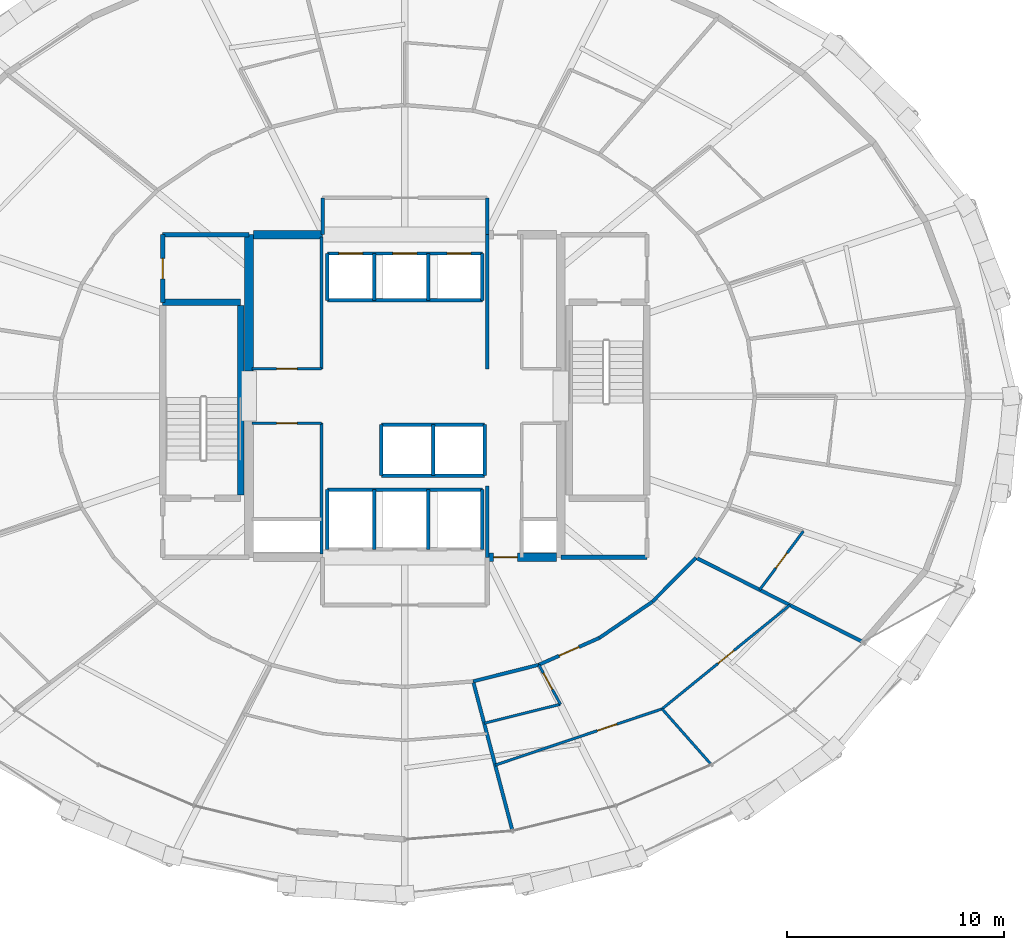
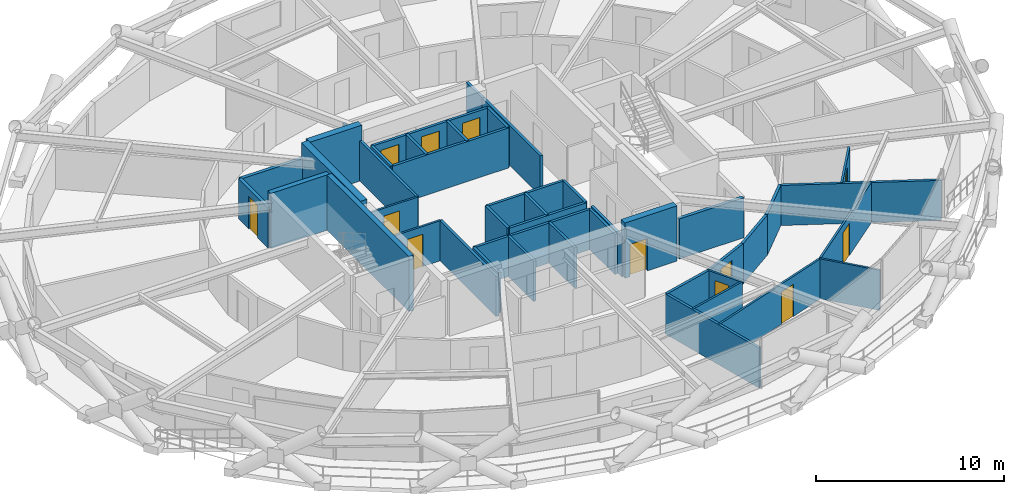
# One storey, part 13 of 18: 44 walls, 12 doors, 12 openings.
"""IFC4 building model written with IfcOpenShell, lengths in metres."""

from ifc_helpers import new_model, si_unit, direction, frame, frame_2d, origin, place, context, subcontext, project, spatial, rectangle, extrude, material, layer, layer_set, type_object, element, fill, save


model = new_model("IFC4")

# Units and contexts
model_context = context("Model", 3, precision=1e-05, world=origin(), true_north=direction((0.0, 1.0)))
body_context = subcontext(model_context, "Body", "Model", "MODEL_VIEW")
ifc_project = project(units=[si_unit("LENGTHUNIT", "METRE"), si_unit("AREAUNIT", "SQUARE_METRE"), si_unit("VOLUMEUNIT", "CUBIC_METRE"), si_unit("PLANEANGLEUNIT", "RADIAN"), si_unit("MASSUNIT", "GRAM", prefix="KILO")], contexts=[model_context])

# Site, building, storey
site_placement = place(None, origin())
site = spatial("IfcSite", under=ifc_project, at=site_placement, CompositionType="ELEMENT")
building_placement = place(site_placement, origin())
building = spatial("IfcBuilding", under=site, at=building_placement, Name="Veldorina Hangang Commons", CompositionType="ELEMENT")
storey_placement = place(building_placement, frame((0.0, 0.0, 41.199951171875)))
storey = spatial("IfcBuildingStorey", under=building, at=storey_placement, Name="L09", CompositionType="ELEMENT", Elevation=41.199951171875)

# Wall
ifc_material_1 = material(Name="Concrete C70/85", Category="concrete")
ifc_layer_1 = layer(ifc_material_1, 0.39990234375)
ifc_layer_set_1 = layer_set([ifc_layer_1], Name="Concrete C70/85")
wall_type_1 = type_object("IfcWallType", Name="CW-RC400-C70", PredefinedType="SHEAR", material=ifc_layer_set_1)
wall_1_placement = place(storey_placement, frame((24.800048828125, 25.14990234375, 0.0), z_axis=(0.0, 0.0, 1.0), x_axis=(0.0, 1.0, 0.0)))
element("IfcWall", 1, at=wall_1_placement, inside=storey, type_object=wall_type_1, Name="L09 W north core shear wall", PredefinedType="SHEAR", context=body_context, shape_type="SweptSolid", body=[
    extrude(rectangle(XDim=6.300048828125, YDim=0.39990234375, at=frame_2d((3.14990234375, 0.0))), origin(), (0.0, 0.0, 1.0), 3.60009765625),
])

# Wall, opening, door
wall_2_placement = place(storey_placement, frame((35.800048828125, 16.550048828125, 0.0), z_axis=(0.0, 0.0, 1.0), x_axis=(1.0, 0.0, 0.0)))
wall_2 = element("IfcWall", 2, at=wall_2_placement, inside=storey, type_object=wall_type_1, Name="L09 south-east core shear wall", PredefinedType="SHEAR", context=body_context, shape_type="SweptSolid", body=[
    extrude(rectangle(XDim=3.199951171875, YDim=0.39990234375, at=frame_2d((1.60009765625, 0.0))), origin(), (0.0, 0.0, 1.0), 3.60009765625),
])
opening_1_placement = place(wall_2_placement, frame((0.300048828125, 0.0, 0.0)))
opening_1 = element("IfcOpeningElement", 3, at=opening_1_placement, cuts=wall_2, Name="Opening D-08", PredefinedType="OPENING", context=body_context, shape_type="SweptSolid", body=[
    extrude(rectangle(XDim=1.10009765625, YDim=2.10009765625, at=frame_2d((0.550048828125, 1.050048828125))), frame((0.0, 0.2099609375, 0.0), z_axis=(0.0, -1.0, 0.0), x_axis=(1.0, 0.0, 0.0)), (0.0, 0.0, 1.0), 0.419921875),
])
ifc_material_2 = material(Name="Steel Fire-Rated Smoke Seal", Category="steel")
door_type_1 = type_object("IfcDoorType", Name="DR-FIRE-1100", OperationType="SINGLE_SWING_RIGHT", PredefinedType="DOOR", material=ifc_material_2)
door_1_placement = place(opening_1_placement, origin())
door_1 = element("IfcDoor", 4, at=door_1_placement, inside=storey, type_object=door_type_1, Name="L09 central lift lobby south corridor door", OperationType="SINGLE_SWING_RIGHT", OverallHeight=2.10009765625, OverallWidth=1.10009765625, PredefinedType="DOOR", context=body_context, shape_type="SweptSolid", body=[
    extrude(rectangle(XDim=1.10009765625, YDim=2.10009765625, at=frame_2d((0.550048828125, 1.050048828125))), frame((0.0, 0.02490234375, 0.0), z_axis=(0.0, -1.0, 0.0), x_axis=(1.0, 0.0, 0.0)), (0.0, 0.0, 1.0), 0.050048828125),
])
fill(opening_1, door_1)

# Walls
wall_3_placement = place(storey_placement, frame((25.0, 31.449951171875, 0.0), z_axis=(0.0, 0.0, 1.0), x_axis=(1.0, 0.0, 0.0)))
element("IfcWall", 5, at=wall_3_placement, inside=storey, type_object=wall_type_1, Name="L09 north-west core shear wall", PredefinedType="SHEAR", context=body_context, shape_type="SweptSolid", body=[
    extrude(rectangle(XDim=3.199951171875, YDim=0.39990234375, at=frame_2d((1.60009765625, 0.0))), origin(), (0.0, 0.0, 1.0), 3.60009765625),
])
ifc_material_3 = material(Name="Concrete C50/60", Category="concrete")
ifc_layer_2 = layer(ifc_material_3, 0.300048828125)
ifc_layer_set_2 = layer_set([ifc_layer_2], Name="Concrete C50/60")
wall_type_2 = type_object("IfcWallType", Name="SW-STAIR-300", PredefinedType="SHEAR", material=ifc_layer_set_2)
wall_4_placement = place(storey_placement, frame((24.419921875, 19.429931640625, 0.0), z_axis=(0.0, 0.0, 1.0), x_axis=(0.0, 1.0, 0.0)))
element("IfcWall", 6, at=wall_4_placement, inside=storey, type_object=wall_type_2, Name="L09 ST1 inner stair shear wall", PredefinedType="SHEAR", context=body_context, shape_type="SweptSolid", body=[
    extrude(rectangle(XDim=8.739990234375, YDim=0.300048828125, at=frame_2d((4.3701171875, 0.0))), origin(), (0.0, 0.0, 1.0), 3.60009765625),
])
wall_5_placement = place(storey_placement, frame((20.820068359375, 28.320068359375, 0.0), z_axis=(0.0, 0.0, 1.0), x_axis=(1.0, 0.0, 0.0)))
element("IfcWall", 7, at=wall_5_placement, inside=storey, type_object=wall_type_2, Name="L09 ST1 north stair shear wall", PredefinedType="SHEAR", context=body_context, shape_type="SweptSolid", body=[
    extrude(rectangle(XDim=3.599853515625, YDim=0.300048828125, at=frame_2d((1.7998046875, 0.0))), origin(), (0.0, 0.0, 1.0), 3.60009765625),
])
ifc_material_4 = material(Name="Gypsum Fire-Rated Twin Stud Wall", Category="gypsum")
ifc_layer_3 = layer(ifc_material_4, 0.159912109375)
ifc_layer_set_3 = layer_set([ifc_layer_3], Name="Gypsum Fire-Rated Twin Stud Wall")
wall_type_3 = type_object("IfcWallType", Name="WL-FIRE-160", PredefinedType="SOLIDWALL", material=ifc_layer_set_3)
wall_6_placement = place(storey_placement, frame((35.800048828125, 16.550048828125, 0.0), z_axis=(0.0, 0.0, 1.0), x_axis=(0.0, 1.0, 0.0)))
element("IfcWall", 8, at=wall_6_placement, inside=storey, type_object=wall_type_3, Name="L09 Lift passage SW wall 009", PredefinedType="SOLIDWALL", context=body_context, shape_type="SweptSolid", body=[
    extrude(rectangle(XDim=3.300048828125, YDim=0.159912109375, at=frame_2d((1.64990234375, 0.0))), origin(), (0.0, 0.0, 1.0), 2.610107421875),
])
wall_7_placement = place(storey_placement, frame((35.800048828125, 25.25, 0.0), z_axis=(0.0, 0.0, 1.0), x_axis=(0.0, 1.0, 0.0)))
element("IfcWall", 9, at=wall_7_placement, inside=storey, type_object=wall_type_3, Name="L09 Lift passage NW wall 011", PredefinedType="SOLIDWALL", context=body_context, shape_type="SweptSolid", body=[
    extrude(rectangle(XDim=6.199951171875, YDim=0.159912109375, at=frame_2d((3.10009765625, 0.0))), origin(), (0.0, 0.0, 1.0), 2.610107421875),
])

# Wall, openings, doors
wall_8_placement = place(storey_placement, frame((28.419921875, 30.580078125, 0.0), z_axis=(0.0, 0.0, 1.0), x_axis=(1.0, 0.0, 0.0)))
wall_8 = element("IfcWall", 10, at=wall_8_placement, inside=storey, type_object=wall_type_3, Name="L09 Low-bank front shaft wall 015", PredefinedType="SOLIDWALL", context=body_context, shape_type="SweptSolid", body=[
    extrude(rectangle(XDim=7.16015625, YDim=0.159912109375, at=frame_2d((3.580078125, 0.0))), origin(), (0.0, 0.0, 1.0), 2.610107421875),
])
opening_2_placement = place(wall_8_placement, frame((0.530029296875, 0.0, 0.0)))
opening_2 = element("IfcOpeningElement", 11, at=opening_2_placement, cuts=wall_8, Name="Opening LD-01", PredefinedType="OPENING", context=body_context, shape_type="SweptSolid", body=[
    extrude(rectangle(XDim=1.10009765625, YDim=2.14990234375, at=frame_2d((0.550048828125, 1.074951171875))), frame((0.0, 0.08984375, 0.0), z_axis=(0.0, -1.0, 0.0), x_axis=(1.0, 0.0, 0.0)), (0.0, 0.0, 1.0), 0.179931640625),
])
opening_3_placement = place(wall_8_placement, frame((3.030029296875, 0.0, 0.0)))
opening_3 = element("IfcOpeningElement", 12, at=opening_3_placement, cuts=wall_8, Name="Opening LD-01", PredefinedType="OPENING", context=body_context, shape_type="SweptSolid", body=[
    extrude(rectangle(XDim=1.10009765625, YDim=2.14990234375, at=frame_2d((0.550048828125, 1.074951171875))), frame((0.0, 0.08984375, 0.0), z_axis=(0.0, -1.0, 0.0), x_axis=(1.0, 0.0, 0.0)), (0.0, 0.0, 1.0), 0.179931640625),
])
opening_4_placement = place(wall_8_placement, frame((5.530029296875, 0.0, 0.0)))
opening_4 = element("IfcOpeningElement", 13, at=opening_4_placement, cuts=wall_8, Name="Opening LD-01", PredefinedType="OPENING", context=body_context, shape_type="SweptSolid", body=[
    extrude(rectangle(XDim=1.10009765625, YDim=2.14990234375, at=frame_2d((0.550048828125, 1.074951171875))), frame((0.0, 0.08984375, 0.0), z_axis=(0.0, -1.0, 0.0), x_axis=(1.0, 0.0, 0.0)), (0.0, 0.0, 1.0), 0.179931640625),
])
ifc_material_5 = material(Name="Stainless Steel Brushed Lift Door", Category="steel")
door_type_2 = type_object("IfcDoorType", Name="DR-LIFT-1100", OperationType="SLIDING_TO_LEFT", PredefinedType="DOOR", material=ifc_material_5)
door_2_placement = place(opening_2_placement, origin())
door_2 = element("IfcDoor", 14, at=door_2_placement, inside=storey, type_object=door_type_2, Name="L09 Lift PL-L1 landing door 006", OperationType="SLIDING_TO_LEFT", OverallHeight=2.14990234375, OverallWidth=1.10009765625, PredefinedType="DOOR", context=body_context, shape_type="SweptSolid", body=[
    extrude(rectangle(XDim=1.10009765625, YDim=2.14990234375, at=frame_2d((0.550048828125, 1.074951171875))), frame((0.0, 0.02490234375, 0.0), z_axis=(0.0, -1.0, 0.0), x_axis=(1.0, 0.0, 0.0)), (0.0, 0.0, 1.0), 0.050048828125),
])
fill(opening_2, door_2)
door_3_placement = place(opening_3_placement, origin())
door_3 = element("IfcDoor", 15, at=door_3_placement, inside=storey, type_object=door_type_2, Name="L09 Lift PL-L2 landing door 007", OperationType="SLIDING_TO_LEFT", OverallHeight=2.14990234375, OverallWidth=1.10009765625, PredefinedType="DOOR", context=body_context, shape_type="SweptSolid", body=[
    extrude(rectangle(XDim=1.10009765625, YDim=2.14990234375, at=frame_2d((0.550048828125, 1.074951171875))), frame((0.0, 0.02490234375, 0.0), z_axis=(0.0, -1.0, 0.0), x_axis=(1.0, 0.0, 0.0)), (0.0, 0.0, 1.0), 0.050048828125),
])
fill(opening_3, door_3)
door_4_placement = place(opening_4_placement, origin())
door_4 = element("IfcDoor", 16, at=door_4_placement, inside=storey, type_object=door_type_2, Name="L09 Lift PL-L3 landing door 008", OperationType="SLIDING_TO_LEFT", OverallHeight=2.14990234375, OverallWidth=1.10009765625, PredefinedType="DOOR", context=body_context, shape_type="SweptSolid", body=[
    extrude(rectangle(XDim=1.10009765625, YDim=2.14990234375, at=frame_2d((0.550048828125, 1.074951171875))), frame((0.0, 0.02490234375, 0.0), z_axis=(0.0, -1.0, 0.0), x_axis=(1.0, 0.0, 0.0)), (0.0, 0.0, 1.0), 0.050048828125),
])
fill(opening_4, door_4)

# Walls
wall_9_placement = place(storey_placement, frame((28.419921875, 28.419921875, 0.0), z_axis=(0.0, 0.0, 1.0), x_axis=(1.0, 0.0, 0.0)))
element("IfcWall", 17, at=wall_9_placement, inside=storey, type_object=wall_type_3, Name="L09 Low-bank rear shaft wall 016", PredefinedType="SOLIDWALL", context=body_context, shape_type="SweptSolid", body=[
    extrude(rectangle(XDim=7.16015625, YDim=0.159912109375, at=frame_2d((3.580078125, 0.0))), origin(), (0.0, 0.0, 1.0), 2.610107421875),
])
for number, where, z_axis, x_axis, name in (
    (18, (28.419921875, 28.419921875, 0.0), (0.0, 0.0, 1.0), (0.0, 1.0, 0.0), "L09 PL-L1 west shaft wall 017"),
    (19, (30.580078125, 28.419921875, 0.0), (0.0, 0.0, 1.0), (0.0, 1.0, 0.0), "L09 PL-L1 east shaft wall 018"),
    (20, (33.080078125, 28.419921875, 0.0), (0.0, 0.0, 1.0), (0.0, 1.0, 0.0), "L09 PL-L2 east shaft wall 019"),
    (21, (35.580078125, 28.419921875, 0.0), (0.0, 0.0, 1.0), (0.0, 1.0, 0.0), "L09 PL-L3 east shaft wall 020"),
):
    element("IfcWall", number, at=place(storey_placement, frame(where, z_axis=z_axis, x_axis=x_axis)), inside=storey, type_object=wall_type_3, Name=name, PredefinedType="SOLIDWALL", context=body_context, shape_type="SweptSolid", body=[
        extrude(rectangle(XDim=2.16015625, YDim=0.159912109375, at=frame_2d((1.080078125, 0.0))), origin(), (0.0, 0.0, 1.0), 2.610107421875),
    ])
for number, where, z_axis, x_axis, name in (
    (22, (30.919921875, 22.679931640625, 0.0), (0.0, 0.0, 1.0), (1.0, 0.0, 0.0), "L09 Shuttle-high front shaft wall 021"),
    (23, (30.919921875, 20.320068359375, 0.0), (0.0, 0.0, 1.0), (1.0, 0.0, 0.0), "L09 Shuttle-high rear shaft wall 022"),
):
    element("IfcWall", number, at=place(storey_placement, frame(where, z_axis=z_axis, x_axis=x_axis)), inside=storey, type_object=wall_type_3, Name=name, PredefinedType="SOLIDWALL", context=body_context, shape_type="SweptSolid", body=[
        extrude(rectangle(XDim=4.760009765625, YDim=0.159912109375, at=frame_2d((2.3798828125, 0.0))), origin(), (0.0, 0.0, 1.0), 2.610107421875),
    ])
for number, where, z_axis, x_axis, name in (
    (24, (30.919921875, 20.320068359375, 0.0), (0.0, 0.0, 1.0), (0.0, 1.0, 0.0), "L09 SL-1 west shaft wall 023"),
    (25, (33.300048828125, 20.320068359375, 0.0), (0.0, 0.0, 1.0), (0.0, 1.0, 0.0), "L09 SL-1 east shaft wall 024"),
    (26, (35.679931640625, 20.320068359375, 0.0), (0.0, 0.0, 1.0), (0.0, 1.0, 0.0), "L09 SL-2 east shaft wall 025"),
):
    element("IfcWall", number, at=place(storey_placement, frame(where, z_axis=z_axis, x_axis=x_axis)), inside=storey, type_object=wall_type_3, Name=name, PredefinedType="SOLIDWALL", context=body_context, shape_type="SweptSolid", body=[
        extrude(rectangle(XDim=2.35986328125, YDim=0.159912109375, at=frame_2d((1.179931640625, 0.0))), origin(), (0.0, 0.0, 1.0), 2.610107421875),
    ])
wall_10_placement = place(storey_placement, frame((28.419921875, 19.679931640625, 0.0), z_axis=(0.0, 0.0, 1.0), x_axis=(1.0, 0.0, 0.0)))
element("IfcWall", 27, at=wall_10_placement, inside=storey, type_object=wall_type_3, Name="L09 Emergency rear shaft wall 027", PredefinedType="SOLIDWALL", context=body_context, shape_type="SweptSolid", body=[
    extrude(rectangle(XDim=7.16015625, YDim=0.159912109375, at=frame_2d((3.580078125, 0.0))), origin(), (0.0, 0.0, 1.0), 2.610107421875),
])
for number, where, z_axis, x_axis, name in (
    (28, (28.419921875, 16.919921875, 0.0), (0.0, 0.0, 1.0), (0.0, 1.0, 0.0), "L09 FFL-1 west shaft wall 028"),
    (29, (30.580078125, 16.919921875, 0.0), (0.0, 0.0, 1.0), (0.0, 1.0, 0.0), "L09 FFL-1 east shaft wall 029"),
    (30, (33.080078125, 16.919921875, 0.0), (0.0, 0.0, 1.0), (0.0, 1.0, 0.0), "L09 FFL-2 east shaft wall 030"),
    (31, (35.580078125, 16.919921875, 0.0), (0.0, 0.0, 1.0), (0.0, 1.0, 0.0), "L09 EVL-1 east shaft wall 031"),
):
    element("IfcWall", number, at=place(storey_placement, frame(where, z_axis=z_axis, x_axis=x_axis)), inside=storey, type_object=wall_type_3, Name=name, PredefinedType="SOLIDWALL", context=body_context, shape_type="SweptSolid", body=[
        extrude(rectangle(XDim=2.760009765625, YDim=0.159912109375, at=frame_2d((1.3798828125, 0.0))), origin(), (0.0, 0.0, 1.0), 2.610107421875),
    ])
for number, where, z_axis, x_axis, name in (
    (32, (28.199951171875, 31.449951171875, 0.0), (0.0, 0.0, 1.0), (0.0, 1.0, 0.0), "L09 North lobby west wall 032"),
    (33, (35.800048828125, 31.449951171875, 0.0), (0.0, 0.0, 1.0), (0.0, 1.0, 0.0), "L09 North lobby east wall 033"),
):
    element("IfcWall", number, at=place(storey_placement, frame(where, z_axis=z_axis, x_axis=x_axis)), inside=storey, type_object=wall_type_3, Name=name, PredefinedType="SOLIDWALL", context=body_context, shape_type="SweptSolid", body=[
        extrude(rectangle(XDim=1.699951171875, YDim=0.159912109375, at=frame_2d((0.85009765625, 0.0))), origin(), (0.0, 0.0, 1.0), 2.610107421875),
    ])
wall_11_placement = place(storey_placement, frame((28.14990234375, 16.699951171875, 0.0), z_axis=(0.0, 0.0, 1.0), x_axis=(0.0, 1.0, 0.0)))
element("IfcWall", 34, at=wall_11_placement, inside=storey, type_object=wall_type_3, Name="L09 SW core inner wall 036", PredefinedType="SOLIDWALL", context=body_context, shape_type="SweptSolid", body=[
    extrude(rectangle(XDim=6.050048828125, YDim=0.159912109375, at=frame_2d((3.02490234375, 0.0))), origin(), (0.0, 0.0, 1.0), 2.610107421875),
])
wall_12_placement = place(storey_placement, frame((28.14990234375, 25.25, 0.0), z_axis=(0.0, 0.0, 1.0), x_axis=(0.0, 1.0, 0.0)))
element("IfcWall", 35, at=wall_12_placement, inside=storey, type_object=wall_type_3, Name="L09 NW core inner wall 038", PredefinedType="SOLIDWALL", context=body_context, shape_type="SweptSolid", body=[
    extrude(rectangle(XDim=6.10009765625, YDim=0.159912109375, at=frame_2d((3.050048828125, 0.0))), origin(), (0.0, 0.0, 1.0), 2.610107421875),
])
wall_13_placement = place(storey_placement, frame((35.153076171875, 10.82421875, 0.0), z_axis=(0.0, 0.0, 1.0), x_axis=(0.969653665365, 0.244482656326, 0.0)))
element("IfcWall", 36, at=wall_13_placement, inside=storey, type_object=wall_type_3, Name="L09 Corridor outer wall 25 070", PredefinedType="SOLIDWALL", context=body_context, shape_type="SweptSolid", body=[
    extrude(rectangle(XDim=3.126708984375, YDim=0.159912109375, at=frame_2d((1.5634765625, 0.0))), origin(), (0.0, 0.0, 1.0), 2.610107421875),
])

# Wall, opening, door
wall_14_placement = place(storey_placement, frame((38.184814453125, 11.588623046875, 0.0), z_axis=(0.0, 0.0, 1.0), x_axis=(0.913860932409, 0.406027334321, 0.0)))
wall_14 = element("IfcWall", 37, at=wall_14_placement, inside=storey, type_object=wall_type_3, Name="L09 Corridor outer wall 26 071", PredefinedType="SOLIDWALL", context=body_context, shape_type="SweptSolid", body=[
    extrude(rectangle(XDim=3.0576171875, YDim=0.159912109375, at=frame_2d((1.52880859375, 0.0))), origin(), (0.0, 0.0, 1.0), 2.610107421875),
])
opening_5_placement = place(wall_14_placement, frame((1.02880859375, 0.0, 0.0)))
opening_5 = element("IfcOpeningElement", 38, at=opening_5_placement, cuts=wall_14, Name="Opening D-06", PredefinedType="OPENING", context=body_context, shape_type="SweptSolid", body=[
    extrude(rectangle(XDim=1.0, YDim=2.10009765625, at=frame_2d((0.5, 1.050048828125))), frame((0.0, 0.08984375, 0.0), z_axis=(0.0, -1.0, 0.0), x_axis=(1.0, 0.0, 0.0)), (0.0, 0.0, 1.0), 0.179931640625),
])
ifc_material_6 = material(Name="Timber Fire-Rated Entrance Core", Category="wood")
door_type_3 = type_object("IfcDoorType", Name="DR-UNIT-1000", OperationType="SINGLE_SWING_LEFT", PredefinedType="DOOR", material=ifc_material_6)
door_5_placement = place(opening_5_placement, origin())
door_5 = element("IfcDoor", 39, at=door_5_placement, inside=storey, type_object=door_type_3, Name="L09 Cluster 2 entrance door 020", OperationType="SINGLE_SWING_RIGHT", OverallHeight=2.10009765625, OverallWidth=1.0, PredefinedType="DOOR", context=body_context, shape_type="SweptSolid", body=[
    extrude(rectangle(XDim=1.0, YDim=2.10009765625, at=frame_2d((0.5, 1.050048828125))), frame((0.0, 0.02490234375, 0.0), z_axis=(0.0, -1.0, 0.0), x_axis=(1.0, 0.0, 0.0)), (0.0, 0.0, 1.0), 0.050048828125),
])
fill(opening_5, door_5)

# Walls
wall_15_placement = place(storey_placement, frame((40.97900390625, 12.830078125, 0.0), z_axis=(0.0, 0.0, 1.0), x_axis=(0.826112340767, 0.563505457323, 0.0)))
element("IfcWall", 40, at=wall_15_placement, inside=storey, type_object=wall_type_3, Name="L09 Corridor outer wall 27 072", PredefinedType="SOLIDWALL", context=body_context, shape_type="SweptSolid", body=[
    extrude(rectangle(XDim=2.96484375, YDim=0.159912109375, at=frame_2d((1.482421875, 0.0))), origin(), (0.0, 0.0, 1.0), 2.610107421875),
])
wall_16_placement = place(storey_placement, frame((43.42822265625, 14.500732421875, 0.0), z_axis=(0.0, 0.0, 1.0), x_axis=(0.702569520063, 0.711615113301, 0.0)))
element("IfcWall", 41, at=wall_16_placement, inside=storey, type_object=wall_type_3, Name="L09 Corridor outer wall 28 073", PredefinedType="SOLIDWALL", context=body_context, shape_type="SweptSolid", body=[
    extrude(rectangle(XDim=2.86083984375, YDim=0.159912109375, at=frame_2d((1.430419921875, 0.0))), origin(), (0.0, 0.0, 1.0), 2.610107421875),
])
wall_17_placement = place(storey_placement, frame((35.153076171875, 10.82421875, 0.0), z_axis=(0.0, 0.0, 1.0), x_axis=(0.254425512264, -0.967092373411, 0.0)))
element("IfcWall", 42, at=wall_17_placement, inside=storey, type_object=wall_type_3, Name="L09 Unit party wall 25 081", PredefinedType="SOLIDWALL", context=body_context, shape_type="SweptSolid", body=[
    extrude(rectangle(XDim=7.09130859375, YDim=0.159912109375, at=frame_2d((3.545654296875, 0.0))), origin(), (0.0, 0.0, 1.0), 2.610107421875),
])
wall_18_placement = place(storey_placement, frame((45.438232421875, 16.53662109375, 0.0), z_axis=(0.0, 0.0, 1.0), x_axis=(0.892562807144, -0.450923092448, 0.0)))
element("IfcWall", 43, at=wall_18_placement, inside=storey, type_object=wall_type_3, Name="L09 Unit party wall 29 087", PredefinedType="SOLIDWALL", context=body_context, shape_type="SweptSolid", body=[
    extrude(rectangle(XDim=8.6259765625, YDim=0.159912109375, at=frame_2d((4.31298828125, 0.0))), origin(), (0.0, 0.0, 1.0), 2.610107421875),
])

# Wall, opening, door
ifc_material_7 = material(Name="Concrete Blockwork Fire Wall C30/37", Category="masonry")
ifc_layer_4 = layer(ifc_material_7, 0.199951171875)
ifc_layer_set_4 = layer_set([ifc_layer_4], Name="Concrete Blockwork Fire Wall C30/37")
wall_type_4 = type_object("IfcWallType", Name="WL-FIRE-200", PredefinedType="SOLIDWALL", material=ifc_layer_set_4)
wall_19_placement = place(storey_placement, frame((20.820068359375, 28.320068359375, 0.0), z_axis=(0.0, 0.0, 1.0), x_axis=(0.0, 1.0, 0.0)))
wall_19 = element("IfcWall", 44, at=wall_19_placement, inside=storey, type_object=wall_type_4, Name="L09 NW core room outer wall 005", PredefinedType="SOLIDWALL", context=body_context, shape_type="SweptSolid", body=[
    extrude(rectangle(XDim=3.1298828125, YDim=0.199951171875, at=frame_2d((1.56494140625, 0.0))), origin(), (0.0, 0.0, 1.0), 2.610107421875),
])
opening_6_placement = place(wall_19_placement, frame((1.090087890625, 0.0, 0.0)))
opening_6 = element("IfcOpeningElement", 45, at=opening_6_placement, cuts=wall_19, Name="Opening D-04", PredefinedType="OPENING", context=body_context, shape_type="SweptSolid", body=[
    extrude(rectangle(XDim=0.949951171875, YDim=2.10009765625, at=frame_2d((0.47509765625, 1.050048828125))), frame((0.0, 0.10986328125, 0.0), z_axis=(0.0, -1.0, 0.0), x_axis=(1.0, 0.0, 0.0)), (0.0, 0.0, 1.0), 0.219970703125),
])
ifc_material_8 = material(Name="Timber Accessible Flush Leaf", Category="wood")
door_type_4 = type_object("IfcDoorType", Name="DR-ACC-950", OperationType="SINGLE_SWING_LEFT", PredefinedType="DOOR", material=ifc_material_8)
door_6_placement = place(opening_6_placement, origin())
door_6 = element("IfcDoor", 46, at=door_6_placement, inside=storey, type_object=door_type_4, Name="L09 NW core WC door 003", OperationType="SINGLE_SWING_LEFT", OverallHeight=2.10009765625, OverallWidth=0.949951171875, PredefinedType="DOOR", context=body_context, shape_type="SweptSolid", body=[
    extrude(rectangle(XDim=0.949951171875, YDim=2.10009765625, at=frame_2d((0.47509765625, 1.050048828125))), frame((0.0, 0.02490234375, 0.0), z_axis=(0.0, -1.0, 0.0), x_axis=(1.0, 0.0, 0.0)), (0.0, 0.0, 1.0), 0.050048828125),
])
fill(opening_6, door_6)

# Walls
for number, where, z_axis, x_axis, name in (
    (47, (20.820068359375, 31.449951171875, 0.0), (0.0, 0.0, 1.0), (1.0, 0.0, 0.0), "L09 NW core room north wall 006"),
    (48, (39.199951171875, 16.550048828125, 0.0), (0.0, 0.0, 1.0), (1.0, 0.0, 0.0), "L09 SE core room south wall 008"),
):
    element("IfcWall", number, at=place(storey_placement, frame(where, z_axis=z_axis, x_axis=x_axis)), inside=storey, type_object=wall_type_4, Name=name, PredefinedType="SOLIDWALL", context=body_context, shape_type="SweptSolid", body=[
        extrude(rectangle(XDim=3.97998046875, YDim=0.199951171875, at=frame_2d((1.989990234375, 0.0))), origin(), (0.0, 0.0, 1.0), 2.610107421875),
    ])

# Wall, opening, door
ifc_material_9 = material(Name="Gypsum Acoustic Stud Partition", Category="gypsum")
ifc_layer_5 = layer(ifc_material_9, 0.1201171875)
ifc_layer_set_5 = layer_set([ifc_layer_5], Name="Gypsum Acoustic Stud Partition")
wall_type_5 = type_object("IfcWallType", Name="WL-PART-120", PredefinedType="PARTITIONING", material=ifc_layer_set_5)
wall_20_placement = place(storey_placement, frame((24.949951171875, 25.25, 0.0), z_axis=(0.0, 0.0, 1.0), x_axis=(1.0, 0.0, 0.0)))
wall_20 = element("IfcWall", 49, at=wall_20_placement, inside=storey, type_object=wall_type_5, Name="L09 NW service south wall 039", PredefinedType="PARTITIONING", context=body_context, shape_type="SweptSolid", body=[
    extrude(rectangle(XDim=3.199951171875, YDim=0.1201171875, at=frame_2d((1.60009765625, 0.0))), origin(), (0.0, 0.0, 1.0), 2.610107421875),
])
opening_7_placement = place(wall_20_placement, frame((1.125, 0.0, 0.0)))
opening_7 = element("IfcOpeningElement", 50, at=opening_7_placement, cuts=wall_20, Name="Opening D-02", PredefinedType="OPENING", context=body_context, shape_type="SweptSolid", body=[
    extrude(rectangle(XDim=0.949951171875, YDim=2.10009765625, at=frame_2d((0.47509765625, 1.050048828125))), frame((0.0, 0.070068359375, 0.0), z_axis=(0.0, -1.0, 0.0), x_axis=(1.0, 0.0, 0.0)), (0.0, 0.0, 1.0), 0.14013671875),
])
ifc_material_10 = material(Name="Timber Solid Core Acoustic", Category="wood")
door_type_5 = type_object("IfcDoorType", Name="DR-INT-950", OperationType="SINGLE_SWING_LEFT", PredefinedType="DOOR", material=ifc_material_10)
door_7_placement = place(opening_7_placement, origin())
door_7 = element("IfcDoor", 51, at=door_7_placement, inside=storey, type_object=door_type_5, Name="L09 Housekeeping store door 013", OperationType="SINGLE_SWING_LEFT", OverallHeight=2.10009765625, OverallWidth=0.949951171875, PredefinedType="DOOR", context=body_context, shape_type="SweptSolid", body=[
    extrude(rectangle(XDim=0.949951171875, YDim=2.10009765625, at=frame_2d((0.47509765625, 1.050048828125))), frame((0.0, 0.02490234375, 0.0), z_axis=(0.0, -1.0, 0.0), x_axis=(1.0, 0.0, 0.0)), (0.0, 0.0, 1.0), 0.050048828125),
])
fill(opening_7, door_7)

wall_21_placement = place(storey_placement, frame((24.949951171875, 22.75, 0.0), z_axis=(0.0, 0.0, 1.0), x_axis=(1.0, 0.0, 0.0)))
wall_21 = element("IfcWall", 52, at=wall_21_placement, inside=storey, type_object=wall_type_5, Name="L09 SW service north wall 040", PredefinedType="PARTITIONING", context=body_context, shape_type="SweptSolid", body=[
    extrude(rectangle(XDim=3.199951171875, YDim=0.1201171875, at=frame_2d((1.60009765625, 0.0))), origin(), (0.0, 0.0, 1.0), 2.610107421875),
])
opening_8_placement = place(wall_21_placement, frame((1.125, 0.0, 0.0)))
opening_8 = element("IfcOpeningElement", 53, at=opening_8_placement, cuts=wall_21, Name="Opening D-02", PredefinedType="OPENING", context=body_context, shape_type="SweptSolid", body=[
    extrude(rectangle(XDim=0.949951171875, YDim=2.10009765625, at=frame_2d((0.47509765625, 1.050048828125))), frame((0.0, 0.070068359375, 0.0), z_axis=(0.0, -1.0, 0.0), x_axis=(1.0, 0.0, 0.0)), (0.0, 0.0, 1.0), 0.14013671875),
])
door_8_placement = place(opening_8_placement, origin())
door_8 = element("IfcDoor", 54, at=door_8_placement, inside=storey, type_object=door_type_5, Name="L09 Refuse hold door 014", OperationType="SINGLE_SWING_RIGHT", OverallHeight=2.10009765625, OverallWidth=0.949951171875, PredefinedType="DOOR", context=body_context, shape_type="SweptSolid", body=[
    extrude(rectangle(XDim=0.949951171875, YDim=2.10009765625, at=frame_2d((0.47509765625, 1.050048828125))), frame((0.0, 0.02490234375, 0.0), z_axis=(0.0, -1.0, 0.0), x_axis=(1.0, 0.0, 0.0)), (0.0, 0.0, 1.0), 0.050048828125),
])
fill(opening_8, door_8)

# Wall
wall_22_placement = place(storey_placement, frame((35.661865234375, 8.890380859375, 0.0), z_axis=(0.0, 0.0, 1.0), x_axis=(0.970371623194, 0.241617286014, 0.0)))
element("IfcWall", 55, at=wall_22_placement, inside=storey, type_object=wall_type_5, Name="L09 Cluster 2 bath front wall 082", PredefinedType="PARTITIONING", context=body_context, shape_type="SweptSolid", body=[
    extrude(rectangle(XDim=3.62841796875, YDim=0.1201171875, at=frame_2d((1.814208984375, 0.0))), origin(), (0.0, 0.0, 1.0), 2.610107421875),
])

# Wall, opening, door
wall_23_placement = place(storey_placement, frame((38.184814453125, 11.588623046875, 0.0), z_axis=(0.0, 0.0, 1.0), x_axis=(0.480514838023, -0.876986596499, 0.0)))
wall_23 = element("IfcWall", 56, at=wall_23_placement, inside=storey, type_object=wall_type_5, Name="L09 Cluster 2 bath side wall 083", PredefinedType="PARTITIONING", context=body_context, shape_type="SweptSolid", body=[
    extrude(rectangle(XDim=2.0771484375, YDim=0.1201171875, at=frame_2d((1.03857421875, 0.0))), origin(), (0.0, 0.0, 1.0), 2.610107421875),
])
opening_9_placement = place(wall_23_placement, frame((0.43994140625, 0.0, 0.0)))
opening_9 = element("IfcOpeningElement", 57, at=opening_9_placement, cuts=wall_23, Name="Opening D-01", PredefinedType="OPENING", context=body_context, shape_type="SweptSolid", body=[
    extrude(rectangle(XDim=0.860107421875, YDim=2.10009765625, at=frame_2d((0.43017578125, 1.050048828125))), frame((0.0, 0.070068359375, 0.0), z_axis=(0.0, -1.0, 0.0), x_axis=(1.0, 0.0, 0.0)), (0.0, 0.0, 1.0), 0.14013671875),
])
ifc_material_11 = material(Name="Timber Moisture-Resistant Core", Category="wood")
door_type_6 = type_object("IfcDoorType", Name="DR-WET-860", OperationType="SINGLE_SWING_LEFT", PredefinedType="DOOR", material=ifc_material_11)
door_9_placement = place(opening_9_placement, origin())
door_9 = element("IfcDoor", 58, at=door_9_placement, inside=storey, type_object=door_type_6, Name="L09 Cluster 2 shared bathroom door 019", OperationType="SINGLE_SWING_LEFT", OverallHeight=2.10009765625, OverallWidth=0.860107421875, PredefinedType="DOOR", context=body_context, shape_type="SweptSolid", body=[
    extrude(rectangle(XDim=0.860107421875, YDim=2.10009765625, at=frame_2d((0.43017578125, 1.050048828125))), frame((0.0, 0.02490234375, 0.0), z_axis=(0.0, -1.0, 0.0), x_axis=(1.0, 0.0, 0.0)), (0.0, 0.0, 1.0), 0.050048828125),
])
fill(opening_9, door_9)

wall_24_placement = place(storey_placement, frame((36.17041015625, 6.956787109375, 0.0), z_axis=(0.0, 0.0, 1.0), x_axis=(0.947721167357, 0.319099653625, 0.0)))
wall_24 = element("IfcWall", 59, at=wall_24_placement, inside=storey, type_object=wall_type_5, Name="L09 Cluster 2 bed 1 front wall 084", PredefinedType="PARTITIONING", context=body_context, shape_type="SweptSolid", body=[
    extrude(rectangle(XDim=8.13134765625, YDim=0.1201171875, at=frame_2d((4.065673828125, 0.0))), origin(), (0.0, 0.0, 1.0), 2.610107421875),
])
opening_10_placement = place(wall_24_placement, frame((4.976806640625, 0.0, 0.0)))
opening_10 = element("IfcOpeningElement", 60, at=opening_10_placement, cuts=wall_24, Name="Opening D-02", PredefinedType="OPENING", context=body_context, shape_type="SweptSolid", body=[
    extrude(rectangle(XDim=0.949951171875, YDim=2.10009765625, at=frame_2d((0.47509765625, 1.050048828125))), frame((0.0, 0.070068359375, 0.0), z_axis=(0.0, -1.0, 0.0), x_axis=(1.0, 0.0, 0.0)), (0.0, 0.0, 1.0), 0.14013671875),
])
door_10_placement = place(opening_10_placement, origin())
door_10 = element("IfcDoor", 61, at=door_10_placement, inside=storey, type_object=door_type_5, Name="L09 Cluster 2 bed 1 door 021", OperationType="SINGLE_SWING_LEFT", OverallHeight=2.10009765625, OverallWidth=0.949951171875, PredefinedType="DOOR", context=body_context, shape_type="SweptSolid", body=[
    extrude(rectangle(XDim=0.949951171875, YDim=2.10009765625, at=frame_2d((0.47509765625, 1.050048828125))), frame((0.0, 0.02490234375, 0.0), z_axis=(0.0, -1.0, 0.0), x_axis=(1.0, 0.0, 0.0)), (0.0, 0.0, 1.0), 0.050048828125),
])
fill(opening_10, door_10)

wall_25_placement = place(storey_placement, frame((43.876708984375, 9.551513671875, 0.0), z_axis=(0.0, 0.0, 1.0), x_axis=(0.775978393893, 0.630759488404, 0.0)))
wall_25 = element("IfcWall", 62, at=wall_25_placement, inside=storey, type_object=wall_type_5, Name="L09 Cluster 2 bed 2 front wall 085", PredefinedType="PARTITIONING", context=body_context, shape_type="SweptSolid", body=[
    extrude(rectangle(XDim=7.6005859375, YDim=0.1201171875, at=frame_2d((3.80029296875, 0.0))), origin(), (0.0, 0.0, 1.0), 2.610107421875),
])
opening_11_placement = place(wall_25_placement, frame((3.325439453125, 0.0, 0.0)))
opening_11 = element("IfcOpeningElement", 63, at=opening_11_placement, cuts=wall_25, Name="Opening D-02", PredefinedType="OPENING", context=body_context, shape_type="SweptSolid", body=[
    extrude(rectangle(XDim=0.949951171875, YDim=2.10009765625, at=frame_2d((0.47509765625, 1.050048828125))), frame((0.0, 0.070068359375, 0.0), z_axis=(0.0, -1.0, 0.0), x_axis=(1.0, 0.0, 0.0)), (0.0, 0.0, 1.0), 0.14013671875),
])
door_11_placement = place(opening_11_placement, origin())
door_11 = element("IfcDoor", 64, at=door_11_placement, inside=storey, type_object=door_type_5, Name="L09 Cluster 2 bed 2 door 022", OperationType="SINGLE_SWING_RIGHT", OverallHeight=2.10009765625, OverallWidth=0.949951171875, PredefinedType="DOOR", context=body_context, shape_type="SweptSolid", body=[
    extrude(rectangle(XDim=0.949951171875, YDim=2.10009765625, at=frame_2d((0.47509765625, 1.050048828125))), frame((0.0, 0.02490234375, 0.0), z_axis=(0.0, -1.0, 0.0), x_axis=(1.0, 0.0, 0.0)), (0.0, 0.0, 1.0), 0.050048828125),
])
fill(opening_11, door_11)

# Wall
wall_26_placement = place(storey_placement, frame((43.876708984375, 9.551513671875, 0.0), z_axis=(0.0, 0.0, 1.0), x_axis=(0.662205323819, -0.74932243334, 0.0)))
element("IfcWall", 65, at=wall_26_placement, inside=storey, type_object=wall_type_5, Name="L09 Cluster 2 bed divider 1 086", PredefinedType="PARTITIONING", context=body_context, shape_type="SweptSolid", body=[
    extrude(rectangle(XDim=3.38818359375, YDim=0.1201171875, at=frame_2d((1.694091796875, 0.0))), origin(), (0.0, 0.0, 1.0), 2.610107421875),
])

# Wall, opening, door
wall_27_placement = place(storey_placement, frame((48.380859375, 15.0498046875, 0.0), z_axis=(0.0, 0.0, 1.0), x_axis=(0.597948418231, 0.801534583867, 0.0)))
wall_27 = element("IfcWall", 66, at=wall_27_placement, inside=storey, type_object=wall_type_5, Name="L09 Studio 3 bath front wall 088", PredefinedType="PARTITIONING", context=body_context, shape_type="SweptSolid", body=[
    extrude(rectangle(XDim=3.373291015625, YDim=0.1201171875, at=frame_2d((1.6865234375, 0.0))), origin(), (0.0, 0.0, 1.0), 2.610107421875),
])
opening_12_placement = place(wall_27_placement, frame((1.256591796875, 0.0, 0.0)))
opening_12 = element("IfcOpeningElement", 67, at=opening_12_placement, cuts=wall_27, Name="Opening D-01", PredefinedType="OPENING", context=body_context, shape_type="SweptSolid", body=[
    extrude(rectangle(XDim=0.860107421875, YDim=2.10009765625, at=frame_2d((0.43017578125, 1.050048828125))), frame((0.0, 0.070068359375, 0.0), z_axis=(0.0, -1.0, 0.0), x_axis=(1.0, 0.0, 0.0)), (0.0, 0.0, 1.0), 0.14013671875),
])
door_12_placement = place(opening_12_placement, origin())
door_12 = element("IfcDoor", 68, at=door_12_placement, inside=storey, type_object=door_type_6, Name="L09 Studio 3 bathroom door 023", OperationType="SINGLE_SWING_LEFT", OverallHeight=2.10009765625, OverallWidth=0.860107421875, PredefinedType="DOOR", context=body_context, shape_type="SweptSolid", body=[
    extrude(rectangle(XDim=0.860107421875, YDim=2.10009765625, at=frame_2d((0.43017578125, 1.050048828125))), frame((0.0, 0.02490234375, 0.0), z_axis=(0.0, -1.0, 0.0), x_axis=(1.0, 0.0, 0.0)), (0.0, 0.0, 1.0), 0.050048828125),
])
fill(opening_12, door_12)

save(model, "model.ifc")
